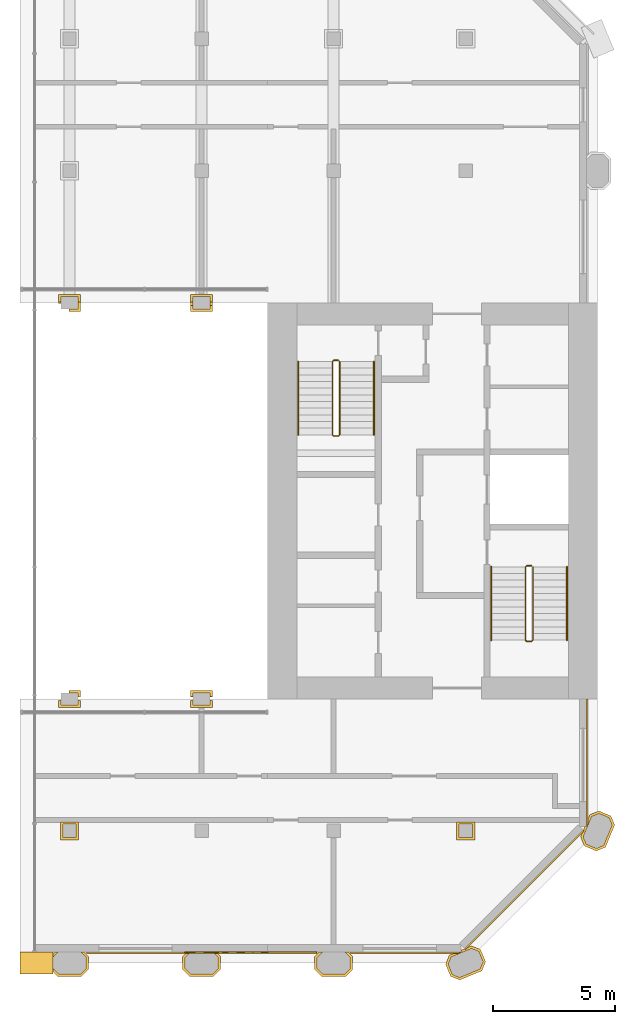
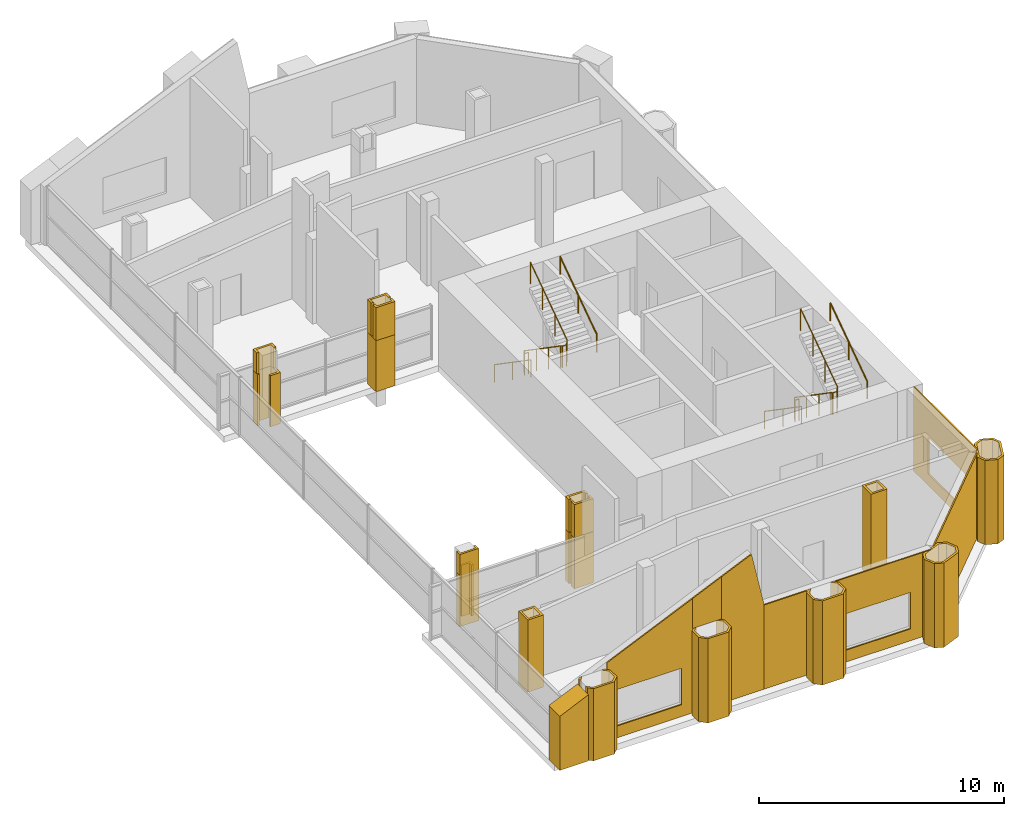
# One storey, part 7 of 8: 28 coverings, 6 railings.
"""IFC4 building model written with IfcOpenShell, lengths in metres."""

import ifcopenshell
import ifcopenshell.guid

model = None  # the IFC model being written
_history = None  # IfcOwnerHistory: only IFC2X3 demands one
_inside = {}  # id of a spatial element -> (the spatial element, [elements in it])
_under = {}  # id of a project, library or spatial element -> (it, [spatial elements below it])
_declared = {}  # id of a project -> (the project, [libraries it declares])
_typed = {}  # id of a type object -> (the type object, [elements of that type])
_made_of = {}  # id of a material, layer set ... -> (it, [elements and type objects made of it])


def new_model(schema):
    """Start an empty IFC model of exactly this schema.

    Asked for "IFC4X3", IfcOpenShell would pick the latest addendum, in which some entities
    have other attributes; the version numbers below select the first issue.
    IFC2X3 requires an IfcOwnerHistory on every rooted entity: one is made here for all.
    """
    global model, _history
    if schema == "IFC4X3":
        model = ifcopenshell.file(schema_version=(4, 3, 0, 0))
    else:
        model = ifcopenshell.file(schema=schema)
    _inside.clear()
    _under.clear()
    _declared.clear()
    _typed.clear()
    _made_of.clear()
    _history = None
    if model.schema == "IFC2X3":
        org = make("IfcOrganization", Name="unknown")
        user = make(
            "IfcPersonAndOrganization",
            ThePerson=make("IfcPerson", FamilyName="unknown"),
            TheOrganization=org,
        )
        app = make(
            "IfcApplication",
            ApplicationDeveloper=org,
            Version="unknown",
            ApplicationFullName="unknown",
            ApplicationIdentifier="unknown",
        )
        _history = make(
            "IfcOwnerHistory",
            OwningUser=user,
            OwningApplication=app,
            ChangeAction="ADDED",
            CreationDate=0,
        )
    return model


def make(cls, **values):
    """One entity of the class cls with the attributes given. An attribute that is None is left unset."""
    return model.create_entity(
        cls, **{name: value for name, value in values.items() if value is not None}
    )


def rooted(cls, **values):
    """An entity with a GlobalId (a new one), such as an element, a storey or a relation."""
    return make(cls, GlobalId=ifcopenshell.guid.new(), OwnerHistory=_history, **values)


def si_unit(unit_type, name, prefix=None):
    """IfcSIUnit, for example si_unit("LENGTHUNIT", "METRE", prefix="MILLI")."""
    return make("IfcSIUnit", UnitType=unit_type, Prefix=prefix, Name=name)


def assignment(units):
    """IfcUnitAssignment: the units of a project."""
    return None if units is None else make("IfcUnitAssignment", Units=units)


def point(xyz):
    """IfcCartesianPoint."""
    return None if xyz is None else make("IfcCartesianPoint", Coordinates=xyz)


def direction(xyz):
    """IfcDirection."""
    return None if xyz is None else make("IfcDirection", DirectionRatios=xyz)


def frame(location, z_axis=None, x_axis=None):
    """IfcAxis2Placement3D, a coordinate frame: its origin and axes. An axis left out is left unset."""
    return make(
        "IfcAxis2Placement3D",
        Location=point(location),
        Axis=direction(z_axis),
        RefDirection=direction(x_axis),
    )


def frame_2d(location, x_axis=None):
    """IfcAxis2Placement2D, a coordinate frame in the plane: its origin and x axis."""
    return make(
        "IfcAxis2Placement2D", Location=point(location), RefDirection=direction(x_axis)
    )


def origin():
    """The frame at (0, 0, 0) with its axes left unset."""
    return frame((0.0, 0.0, 0.0))


def origin_2d():
    """The frame at (0, 0) in the plane with its x axis left unset."""
    return frame_2d((0.0, 0.0))


def place(relative_to, where):
    """IfcLocalPlacement: puts the frame where relative to a parent placement (None: the world)."""
    return make(
        "IfcLocalPlacement", PlacementRelTo=relative_to, RelativePlacement=where
    )


def context(
    kind, dimensions, precision=None, world=None, true_north=None, identifier=None
):
    """IfcGeometricRepresentationContext, for example the 3D "Model" context."""
    return make(
        "IfcGeometricRepresentationContext",
        ContextIdentifier=identifier,
        ContextType=kind,
        CoordinateSpaceDimension=dimensions,
        Precision=precision,
        WorldCoordinateSystem=world,
        TrueNorth=true_north,
    )


def subcontext(parent, identifier, kind, view, scale=None):
    """IfcGeometricRepresentationSubContext, for example "Body" below "Model"."""
    return make(
        "IfcGeometricRepresentationSubContext",
        ContextIdentifier=identifier,
        ContextType=kind,
        ParentContext=parent,
        TargetScale=scale,
        TargetView=view,
    )


def project(units=None, contexts=None):
    """IfcProject with its units and contexts."""
    return rooted(
        "IfcProject",
        Name="project",
        RepresentationContexts=contexts,
        UnitsInContext=assignment(units),
    )


def spatial(cls, under=None, at=None, **own):
    """A site, building, storey or space (cls), placed at a placement, below another one or the project."""
    s = rooted(cls, ObjectPlacement=at, **own)
    if under is not None:
        _under.setdefault(under.id(), (under, []))[1].append(s)
    return s


def polyline(points):
    """IfcPolyline through the points."""
    return make("IfcPolyline", Points=[point(p) for p in points])


def profile(cls, at=None, kind="AREA", **sizes):
    """A parametric profile (cls). Its sizes go by their IFC names, for example OverallWidth=200.0."""
    return make(cls, ProfileType=kind, Position=at, **sizes)


def circle(**sizes):
    """IfcCircleProfileDef."""
    return profile("IfcCircleProfileDef", **sizes)


def outline(outer, holes=None, kind="AREA"):
    """IfcArbitraryClosedProfileDef: a profile drawn as a closed curve; with holes, ...WithVoids."""
    if holes is None:
        return make("IfcArbitraryClosedProfileDef", ProfileType=kind, OuterCurve=outer)
    return make(
        "IfcArbitraryProfileDefWithVoids",
        ProfileType=kind,
        OuterCurve=outer,
        InnerCurves=holes,
    )


def extrude(swept, where, along, depth):
    """IfcExtrudedAreaSolid: the profile swept, set in the frame where, extruded along a direction by depth."""
    return make(
        "IfcExtrudedAreaSolid",
        SweptArea=swept,
        Position=where,
        ExtrudedDirection=direction(along),
        Depth=depth,
    )


def shape(context_of_items, identifier, shape_type, items):
    """IfcShapeRepresentation: the items that make up one representation, for example the "Body"."""
    return make(
        "IfcShapeRepresentation",
        ContextOfItems=context_of_items,
        RepresentationIdentifier=identifier,
        RepresentationType=shape_type,
        Items=items,
    )


def material(Name=None, Category=None):
    """IfcMaterial."""
    return make("IfcMaterial", Name=Name, Category=Category)


def layer(
    of_material, thickness, ventilated=None, Name=None, Category=None, Priority=None
):
    """IfcMaterialLayer: one layer of a wall or slab, of a material (None: an air gap)."""
    return make(
        "IfcMaterialLayer",
        Material=of_material,
        LayerThickness=thickness,
        IsVentilated=ventilated,
        Name=Name,
        Category=Category,
        Priority=Priority,
    )


def layer_set(layers, Name=None):
    """IfcMaterialLayerSet."""
    return make("IfcMaterialLayerSet", MaterialLayers=layers, LayerSetName=Name)


def made_of(thing, what):
    """Note that an element or type object is made of a material, layer set ...; save() writes the relation."""
    if what is not None:
        _made_of.setdefault(what.id(), (what, []))[1].append(thing)
    return thing


def type_object(cls, material=None, **own):
    """A type object (cls), such as IfcWallType, which elements share."""
    return made_of(rooted(cls, **own), material)


def element(
    cls,
    number,
    at=None,
    inside=None,
    cuts=None,
    type_object=None,
    material=None,
    context=None,
    identifier="Body",
    shape_type=None,
    held_by="IfcProductDefinitionShape",
    body=None,
    shapes=None,
    **own,
):
    """One element of the class cls, such as IfcWall. Its Tag is "e" and its number.

    at: its placement. inside: the storey or other place that contains it. cuts: it is an
    opening in that element (IfcRelVoidsElement). A single representation is given by context,
    identifier, shape_type and body (its items); several are given by shapes. held_by: the class
    of the entity that holds the representations. save() writes the other relations.
    """
    e = rooted(cls, Tag="e%d" % number, ObjectPlacement=at, **own)
    if body is not None:
        shapes = [shape(context, identifier, shape_type, body)]
    if shapes is not None:
        e.Representation = make(held_by, Representations=shapes)
    if inside is not None:
        _inside.setdefault(inside.id(), (inside, []))[1].append(e)
    if cuts is not None:
        rooted(
            "IfcRelVoidsElement", RelatingBuildingElement=cuts, RelatedOpeningElement=e
        )
    if type_object is not None:
        _typed.setdefault(type_object.id(), (type_object, []))[1].append(e)
    return made_of(e, material)


def aggregate(whole, parts):
    """IfcRelAggregates: a whole, such as a stair, and the parts it consists of."""
    return rooted("IfcRelAggregates", RelatingObject=whole, RelatedObjects=parts)


def save(model, path):
    """Write the relations noted so far, then the file.

    IfcRelAggregates (storeys below a building ...), IfcRelContainedInSpatialStructure (elements
    in a storey), IfcRelDefinesByType, IfcRelAssociatesMaterial and IfcRelDeclares: one each for
    every whole, place, type object, material and project.
    """
    for whole, parts in _under.values():
        aggregate(whole, parts)
    for where, things in _inside.values():
        rooted(
            "IfcRelContainedInSpatialStructure",
            RelatedElements=things,
            RelatingStructure=where,
        )
    for kind, things in _typed.values():
        rooted("IfcRelDefinesByType", RelatedObjects=things, RelatingType=kind)
    for what, things in _made_of.values():
        rooted("IfcRelAssociatesMaterial", RelatedObjects=things, RelatingMaterial=what)
    for by, libraries in _declared.values():
        rooted("IfcRelDeclares", RelatingContext=by, RelatedDefinitions=libraries)
    model.write(path)


model = new_model("IFC4")

# Units and contexts
model_context = context("Model", 3, precision=1e-05, world=origin(), true_north=direction((0.0, 1.0)))
body_context = subcontext(model_context, "Body", "Model", "MODEL_VIEW")
ifc_project = project(units=[si_unit("LENGTHUNIT", "METRE"), si_unit("AREAUNIT", "SQUARE_METRE"), si_unit("VOLUMEUNIT", "CUBIC_METRE"), si_unit("PLANEANGLEUNIT", "RADIAN"), si_unit("MASSUNIT", "GRAM", prefix="KILO")], contexts=[model_context])

# Site, building, storey
site_placement = place(None, origin())
site = spatial("IfcSite", under=ifc_project, at=site_placement, CompositionType="ELEMENT")
building_placement = place(site_placement, origin())
building = spatial("IfcBuilding", under=site, at=building_placement, Name="Tabaq Tower and Sports Hall", CompositionType="ELEMENT")
storey_placement = place(building_placement, frame((0.0, 0.0, 330.699951171875)))
storey = spatial("IfcBuildingStorey", under=building, at=storey_placement, Name="L82", CompositionType="ELEMENT", Elevation=330.699951171875)

# Coverings
ifc_material_1 = material(Name="Precast concrete C60/75", Category="concrete")
ifc_layer_1 = layer(ifc_material_1, 0.10009765625)
ifc_layer_set_1 = layer_set([ifc_layer_1], Name="Column cladding 100")
covering_type_1 = type_object("IfcCoveringType", Name="Column cladding 100", PredefinedType="CLADDING", material=ifc_layer_set_1)
covering_1_placement = place(storey_placement, origin())
element("IfcCovering", 1, at=covering_1_placement, inside=storey, type_object=covering_type_1, Name="Column cladding L82 PC-5B-CR", PredefinedType="CLADDING", context=body_context, shape_type="SweptSolid", body=[
    extrude(outline(polyline([(22.374755859375, 5.666259765625), (22.374755859375, 5.1337890625), (22.09130859375, 4.850341796875), (21.108642578125, 4.850341796875), (20.92529296875, 5.03369140625), (20.92529296875, 5.17431640625), (21.14990234375, 4.94970703125), (22.050048828125, 4.94970703125), (22.275390625, 5.1748046875), (22.275390625, 5.625244140625), (22.05078125, 5.849609375), (22.19140625, 5.849609375), (22.374755859375, 5.666259765625)])), origin(), (0.0, 0.0, 1.0), 3.60009765625),
])
covering_2_placement = place(storey_placement, origin())
element("IfcCovering", 2, at=covering_2_placement, inside=storey, type_object=covering_type_1, Name="Column cladding L82 PC-5B-CR 2", PredefinedType="CLADDING", context=body_context, shape_type="SweptSolid", body=[
    extrude(outline(polyline([(21.0087890625, 5.849609375), (21.149169921875, 5.849609375), (20.92529296875, 5.625732421875), (20.92529296875, 5.766357421875), (21.0087890625, 5.849609375)])), origin(), (0.0, 0.0, 1.0), 3.60009765625),
])
covering_3_placement = place(storey_placement, origin())
element("IfcCovering", 3, at=covering_3_placement, inside=storey, type_object=covering_type_1, Name="Column cladding L82 CC-5C-CR", PredefinedType="CLADDING", context=body_context, shape_type="SweptSolid", body=[
    extrude(outline(polyline([(21.225341796875, 11.1748046875), (21.974609375, 11.1748046875), (21.974609375, 10.42529296875), (21.225341796875, 10.42529296875), (21.225341796875, 11.1748046875)]), holes=[polyline([(21.875244140625, 10.524658203125), (21.875244140625, 11.0751953125), (21.32470703125, 11.0751953125), (21.32470703125, 10.524658203125), (21.875244140625, 10.524658203125)])]), origin(), (0.0, 0.0, 1.0), 3.60009765625),
])
covering_4_placement = place(storey_placement, origin())
element("IfcCovering", 4, at=covering_4_placement, inside=storey, type_object=covering_type_1, Name="Column cladding L82 AC-5D-CR", PredefinedType="CLADDING", context=body_context, shape_type="SweptSolid", body=[
    extrude(outline(polyline([(22.0498046875, 15.850341796875), (21.150390625, 15.850341796875), (21.150390625, 16.129638671875), (21.249755859375, 16.129638671875), (21.249755859375, 15.94970703125), (21.9501953125, 15.94970703125), (21.9501953125, 16.129638671875), (22.0498046875, 16.129638671875), (22.0498046875, 15.850341796875)])), origin(), (0.0, 0.0, 1.0), 2.550048828125),
])
covering_5_placement = place(storey_placement, origin())
element("IfcCovering", 5, at=covering_5_placement, inside=storey, type_object=covering_type_1, Name="Column cladding L82 AC-5D-CR 2", PredefinedType="CLADDING", context=body_context, shape_type="SweptSolid", body=[
    extrude(outline(polyline([(22.0498046875, 16.5498046875), (22.0498046875, 16.270263671875), (21.9501953125, 16.270263671875), (21.9501953125, 16.4501953125), (21.5703125, 16.4501953125), (21.5703125, 16.5498046875), (22.0498046875, 16.5498046875)])), origin(), (0.0, 0.0, 1.0), 2.550048828125),
])
covering_6_placement = place(storey_placement, frame((0.0, 0.0, 2.550048828125)))
element("IfcCovering", 6, at=covering_6_placement, inside=storey, type_object=covering_type_1, Name="Column cladding L82 AC-5D-CR head", PredefinedType="CLADDING", context=body_context, shape_type="SweptSolid", body=[
    extrude(outline(polyline([(21.150390625, 15.850341796875), (21.150390625, 16.129638671875), (21.249755859375, 16.129638671875), (21.249755859375, 15.94970703125), (21.9501953125, 15.94970703125), (21.9501953125, 16.129638671875), (22.0498046875, 16.129638671875), (22.0498046875, 15.850341796875), (21.150390625, 15.850341796875)])), origin(), (0.0, 0.0, 1.0), 1.050048828125),
])
covering_7_placement = place(storey_placement, origin())
element("IfcCovering", 7, at=covering_7_placement, inside=storey, type_object=covering_type_1, Name="Column cladding L82 AC-5G-CR", PredefinedType="CLADDING", context=body_context, shape_type="SweptSolid", body=[
    extrude(outline(polyline([(22.0498046875, 32.749755859375), (22.0498046875, 32.05029296875), (21.5703125, 32.05029296875), (21.5703125, 32.149658203125), (21.9501953125, 32.149658203125), (21.9501953125, 32.650390625), (21.249755859375, 32.650390625), (21.249755859375, 32.370361328125), (21.150390625, 32.370361328125), (21.150390625, 32.749755859375), (22.0498046875, 32.749755859375)])), origin(), (0.0, 0.0, 1.0), 2.550048828125),
])
covering_8_placement = place(storey_placement, frame((0.0, 0.0, 2.550048828125)))
element("IfcCovering", 8, at=covering_8_placement, inside=storey, type_object=covering_type_1, Name="Column cladding L82 AC-5G-CR head", PredefinedType="CLADDING", context=body_context, shape_type="SweptSolid", body=[
    extrude(outline(polyline([(22.0498046875, 32.440185546875), (21.9501953125, 32.440185546875), (21.9501953125, 32.650390625), (21.249755859375, 32.650390625), (21.249755859375, 32.440185546875), (21.150390625, 32.440185546875), (21.150390625, 32.749755859375), (22.0498046875, 32.749755859375), (22.0498046875, 32.440185546875)])), origin(), (0.0, 0.0, 1.0), 1.050048828125),
])
covering_9_placement = place(storey_placement, origin())
element("IfcCovering", 9, at=covering_9_placement, inside=storey, type_object=covering_type_1, Name="Column cladding L82 PC-6B-CR", PredefinedType="CLADDING", context=body_context, shape_type="SweptSolid", body=[
    extrude(outline(polyline([(26.225341796875, 5.666259765625), (26.40869140625, 5.849609375), (26.54931640625, 5.849609375), (26.32470703125, 5.625244140625), (26.32470703125, 5.1748046875), (26.5498046875, 4.94970703125), (27.4501953125, 4.94970703125), (27.67529296875, 5.1748046875), (27.67529296875, 5.625244140625), (27.45068359375, 5.849609375), (27.59130859375, 5.849609375), (27.774658203125, 5.666259765625), (27.774658203125, 5.1337890625), (27.4912109375, 4.850341796875), (26.5087890625, 4.850341796875), (26.225341796875, 5.1337890625), (26.225341796875, 5.666259765625)])), origin(), (0.0, 0.0, 1.0), 4.199951171875),
])
covering_10_placement = place(storey_placement, origin())
element("IfcCovering", 10, at=covering_10_placement, inside=storey, type_object=covering_type_1, Name="Column cladding L82 AC-6D-CR", PredefinedType="CLADDING", context=body_context, shape_type="SweptSolid", body=[
    extrude(outline(polyline([(27.44970703125, 16.5498046875), (27.44970703125, 16.270263671875), (27.350341796875, 16.270263671875), (27.350341796875, 16.4501953125), (26.649658203125, 16.4501953125), (26.649658203125, 16.270263671875), (26.55029296875, 16.270263671875), (26.55029296875, 16.5498046875), (27.44970703125, 16.5498046875)])), origin(), (0.0, 0.0, 1.0), 2.550048828125),
])
covering_11_placement = place(storey_placement, origin())
element("IfcCovering", 11, at=covering_11_placement, inside=storey, type_object=covering_type_1, Name="Column cladding L82 AC-6D-CR 2", PredefinedType="CLADDING", context=body_context, shape_type="SweptSolid", body=[
    extrude(outline(polyline([(27.44970703125, 15.850341796875), (26.55029296875, 15.850341796875), (26.55029296875, 16.129638671875), (26.649658203125, 16.129638671875), (26.649658203125, 15.94970703125), (27.350341796875, 15.94970703125), (27.350341796875, 16.129638671875), (27.44970703125, 16.129638671875), (27.44970703125, 15.850341796875)])), origin(), (0.0, 0.0, 1.0), 2.550048828125),
])
covering_12_placement = place(storey_placement, frame((0.0, 0.0, 2.550048828125)))
element("IfcCovering", 12, at=covering_12_placement, inside=storey, type_object=covering_type_1, Name="Column cladding L82 AC-6D-CR head", PredefinedType="CLADDING", context=body_context, shape_type="SweptSolid", body=[
    extrude(outline(polyline([(26.55029296875, 15.850341796875), (26.55029296875, 16.129638671875), (26.649658203125, 16.129638671875), (26.649658203125, 15.94970703125), (27.350341796875, 15.94970703125), (27.350341796875, 16.129638671875), (27.44970703125, 16.129638671875), (27.44970703125, 15.850341796875), (26.55029296875, 15.850341796875)])), origin(), (0.0, 0.0, 1.0), 1.64990234375),
])
covering_13_placement = place(storey_placement, frame((0.0, 0.0, 2.550048828125)))
element("IfcCovering", 13, at=covering_13_placement, inside=storey, type_object=covering_type_1, Name="Column cladding L82 AC-6D-CR head 2", PredefinedType="CLADDING", context=body_context, shape_type="SweptSolid", body=[
    extrude(outline(polyline([(27.44970703125, 16.30029296875), (27.350341796875, 16.30029296875), (27.350341796875, 16.4501953125), (26.649658203125, 16.4501953125), (26.649658203125, 16.30029296875), (26.55029296875, 16.30029296875), (26.55029296875, 16.5498046875), (27.44970703125, 16.5498046875), (27.44970703125, 16.30029296875)])), origin(), (0.0, 0.0, 1.0), 1.64990234375),
])
covering_14_placement = place(storey_placement, origin())
element("IfcCovering", 14, at=covering_14_placement, inside=storey, type_object=covering_type_1, Name="Column cladding L82 AC-6G-CR", PredefinedType="CLADDING", context=body_context, shape_type="SweptSolid", body=[
    extrude(outline(polyline([(26.55029296875, 32.749755859375), (27.44970703125, 32.749755859375), (27.44970703125, 32.05029296875), (26.55029296875, 32.05029296875), (26.55029296875, 32.749755859375)]), holes=[polyline([(27.350341796875, 32.149658203125), (27.350341796875, 32.650390625), (26.649658203125, 32.650390625), (26.649658203125, 32.149658203125), (27.350341796875, 32.149658203125)])]), origin(), (0.0, 0.0, 1.0), 2.550048828125),
])
covering_15_placement = place(storey_placement, frame((0.0, 0.0, 2.550048828125)))
element("IfcCovering", 15, at=covering_15_placement, inside=storey, type_object=covering_type_1, Name="Column cladding L82 AC-6G-CR head", PredefinedType="CLADDING", context=body_context, shape_type="SweptSolid", body=[
    extrude(outline(polyline([(27.44970703125, 32.749755859375), (27.44970703125, 32.440185546875), (27.350341796875, 32.440185546875), (27.350341796875, 32.650390625), (26.649658203125, 32.650390625), (26.649658203125, 32.440185546875), (26.55029296875, 32.440185546875), (26.55029296875, 32.749755859375), (27.44970703125, 32.749755859375)])), origin(), (0.0, 0.0, 1.0), 1.64990234375),
])
covering_16_placement = place(storey_placement, frame((0.0, 0.0, 2.550048828125)))
element("IfcCovering", 16, at=covering_16_placement, inside=storey, type_object=covering_type_1, Name="Column cladding L82 AC-6G-CR head 2", PredefinedType="CLADDING", context=body_context, shape_type="SweptSolid", body=[
    extrude(outline(polyline([(27.44970703125, 32.05029296875), (26.55029296875, 32.05029296875), (26.55029296875, 32.2998046875), (26.649658203125, 32.2998046875), (26.649658203125, 32.149658203125), (27.350341796875, 32.149658203125), (27.350341796875, 32.2998046875), (27.44970703125, 32.2998046875), (27.44970703125, 32.05029296875)])), origin(), (0.0, 0.0, 1.0), 1.64990234375),
])
covering_17_placement = place(storey_placement, origin())
element("IfcCovering", 17, at=covering_17_placement, inside=storey, type_object=covering_type_1, Name="Column cladding L82 PC-7B-CR", PredefinedType="CLADDING", context=body_context, shape_type="SweptSolid", body=[
    extrude(outline(polyline([(31.625244140625, 5.666259765625), (31.80859375, 5.849609375), (31.94921875, 5.849609375), (31.724609375, 5.625244140625), (31.724609375, 5.1748046875), (31.949951171875, 4.94970703125), (32.85009765625, 4.94970703125), (33.0751953125, 5.1748046875), (33.0751953125, 5.625244140625), (32.850830078125, 5.849609375), (32.9912109375, 5.849609375), (33.1748046875, 5.666259765625), (33.1748046875, 5.1337890625), (32.891357421875, 4.850341796875), (31.90869140625, 4.850341796875), (31.625244140625, 5.1337890625), (31.625244140625, 5.666259765625)])), origin(), (0.0, 0.0, 1.0), 4.199951171875),
])
covering_18_placement = place(storey_placement, origin())
element("IfcCovering", 18, at=covering_18_placement, inside=storey, type_object=covering_type_1, Name="Column cladding L82 PC-8B-CR", PredefinedType="CLADDING", context=body_context, shape_type="SweptSolid", body=[
    extrude(outline(polyline([(36.982421875, 5.349609375), (37.1357421875, 5.7197265625), (37.304443359375, 5.789794921875), (37.55712890625, 5.789794921875), (37.55712890625, 5.849609375), (37.614013671875, 5.849609375), (37.614013671875, 5.91796875), (37.767578125, 5.9814453125), (37.799072265625, 5.9501953125), (37.875, 6.026123046875), (38.04345703125, 6.095947265625), (38.413818359375, 5.9423828125), (38.61767578125, 5.450439453125), (38.46435546875, 5.080078125), (37.556396484375, 4.7041015625), (37.186279296875, 4.857421875), (36.982421875, 5.349609375)]), holes=[polyline([(38.510009765625, 5.450439453125), (38.337646484375, 5.866455078125), (38.04345703125, 5.98828125), (37.2119140625, 5.643798828125), (37.08984375, 5.349609375), (37.26220703125, 4.93359375), (37.556396484375, 4.811767578125), (38.38818359375, 5.15625), (38.510009765625, 5.450439453125)])]), origin(), (0.0, 0.0, 1.0), 4.199951171875),
])
covering_19_placement = place(storey_placement, origin())
element("IfcCovering", 19, at=covering_19_placement, inside=storey, type_object=covering_type_1, Name="Column cladding L82 CC-8C-CR", PredefinedType="CLADDING", context=body_context, shape_type="SweptSolid", body=[
    extrude(outline(polyline([(37.42529296875, 11.1748046875), (38.1748046875, 11.1748046875), (38.1748046875, 10.42529296875), (37.42529296875, 10.42529296875), (37.42529296875, 11.1748046875)]), holes=[polyline([(38.0751953125, 10.524658203125), (38.0751953125, 11.0751953125), (37.524658203125, 11.0751953125), (37.524658203125, 10.524658203125), (38.0751953125, 10.524658203125)])]), origin(), (0.0, 0.0, 1.0), 4.199951171875),
])
covering_20_placement = place(storey_placement, origin())
element("IfcCovering", 20, at=covering_20_placement, inside=storey, type_object=covering_type_1, Name="Column cladding L82 PC-9C-CR", PredefinedType="CLADDING", context=body_context, shape_type="SweptSolid", body=[
    extrude(outline(polyline([(42.657470703125, 10.186279296875), (42.504150390625, 10.556396484375), (42.573974609375, 10.72509765625), (42.64990234375, 10.801025390625), (42.618408203125, 10.83251953125), (42.68212890625, 10.986083984375), (42.750244140625, 10.986083984375), (42.750244140625, 11.04296875), (42.810302734375, 11.04296875), (42.810302734375, 11.295654296875), (42.880126953125, 11.46435546875), (43.25048828125, 11.61767578125), (43.742431640625, 11.413818359375), (43.895751953125, 11.04345703125), (43.519775390625, 10.1357421875), (43.149658203125, 9.982421875), (42.657470703125, 10.186279296875)]), holes=[polyline([(43.66650390625, 11.337646484375), (43.25048828125, 11.510009765625), (42.956298828125, 11.38818359375), (42.61181640625, 10.556396484375), (42.733642578125, 10.26220703125), (43.149658203125, 10.08984375), (43.44384765625, 10.2119140625), (43.788330078125, 11.04345703125), (43.66650390625, 11.337646484375)])]), origin(), (0.0, 0.0, 1.0), 4.199951171875),
])
ifc_material_2 = material(Name="White precast concrete C60/75", Category="concrete")
covering_type_2 = type_object("IfcCoveringType", Name="Pier cladding hung 1350x900", PredefinedType="CLADDING", material=ifc_material_2)
covering_21_placement = place(storey_placement, frame((19.574951171875, 5.39990234375, 0.0), z_axis=(0.0, 0.0, 1.0), x_axis=(1.0, 0.0, 0.0)))
element("IfcCovering", 21, at=covering_21_placement, inside=storey, type_object=covering_type_2, Name="Riser corner cladding S", PredefinedType="CLADDING", context=body_context, shape_type="SweptSolid", body=[
    extrude(outline(polyline([(0.0, 0.0), (1.35009765625, 0.0), (1.35009765625, 3.300048828125), (0.89990234375, 3.10009765625), (0.449951171875, 2.900146484375), (0.0, 2.699951171875), (0.0, 0.0)])), frame((0.0, 0.449951171875, 0.0), z_axis=(0.0, -1.0, 0.0), x_axis=(1.0, 0.0, 0.0)), (0.0, 0.0, 1.0), 0.89990234375),
])

# Railings
ifc_material_3 = material(Name="Stainless steel", Category="steel")
railing_type_1 = type_object("IfcRailingType", Name="Stair guard", PredefinedType="GUARDRAIL", material=ifc_material_3)
railing_1_placement = place(storey_placement, frame((40.5, 21.64990234375, 0.0)))
element("IfcRailing", 22, at=railing_1_placement, inside=storey, type_object=railing_type_1, Name="L82 ST3 stair guard 1", PredefinedType="GUARDRAIL", context=body_context, shape_type="SweptSolid", body=[
    extrude(circle(Radius=0.02392578125, at=origin_2d()), frame((0.0, 0.0, 1.076171875), z_axis=(-1.0, 0.0, 0.0), x_axis=(0.0, -1.0, 0.0)), (0.0, 0.0, 1.0), 0.199951171875),
    extrude(circle(Radius=0.02392578125, at=origin_2d()), frame((-0.199951171875, 0.0, 1.076171875), z_axis=(-0.249802250048, -0.248583702486, 0.935844527007), x_axis=(0.705375805398, -0.708833529934, 0.0)), (0.0, 0.0, 1.0), 0.200439453125),
    extrude(circle(Radius=0.02392578125, at=origin_2d()), frame((-0.25, -0.0498046875, 1.263671875), z_axis=(0.0, -0.824041924199, 0.566528822887), x_axis=(1.0, 0.0, 0.0)), (0.0, 0.0, 1.0), 3.640625),
    extrude(circle(Radius=0.02392578125, at=origin_2d()), frame((-0.25, -3.0498046875, 3.326171875), z_axis=(0.707106781187, -0.707106781187, 0.0), x_axis=(0.707106781187, 0.707106781187, 0.0)), (0.0, 0.0, 1.0), 0.07080078125),
    extrude(circle(Radius=0.02392578125, at=origin_2d()), frame((-0.199951171875, -3.099853515625, 3.326171875), z_axis=(1.0, 0.0, 0.0), x_axis=(0.0, 1.0, 0.0)), (0.0, 0.0, 1.0), 0.199951171875),
    extrude(circle(Radius=0.02392578125, at=origin_2d()), frame((0.0, -3.099853515625, 3.326171875), z_axis=(0.249726431254, 0.249726431254, 0.935560483917), x_axis=(-0.707106781187, 0.707106781187, 0.0)), (0.0, 0.0, 1.0), 0.200439453125),
    extrude(circle(Radius=0.02392578125, at=origin_2d()), frame((0.050048828125, -3.0498046875, 3.513671875), z_axis=(0.0, 0.824041924199, 0.566528822887), x_axis=(-1.0, 0.0, 0.0)), (0.0, 0.0, 1.0), 3.640625),
    extrude(circle(Radius=0.02099609375, at=origin_2d()), origin(), (0.0, 0.0, 1.0), 1.052001953125),
    extrude(circle(Radius=0.02099609375, at=origin_2d()), frame((-0.199951171875, 0.0, 0.0)), (0.0, 0.0, 1.0), 1.052001953125),
    extrude(circle(Radius=0.02099609375, at=origin_2d()), frame((-0.25, -0.0498046875, 0.1875)), (0.0, 0.0, 1.0), 1.052001953125),
    extrude(circle(Radius=0.02099609375, at=origin_2d()), frame((-0.25, -1.0498046875, 0.875)), (0.0, 0.0, 1.0), 1.052001953125),
    extrude(circle(Radius=0.02099609375, at=origin_2d()), frame((-0.25, -2.0498046875, 1.5625)), (0.0, 0.0, 1.0), 1.052001953125),
    extrude(circle(Radius=0.02099609375, at=origin_2d()), frame((-0.25, -3.0498046875, 2.25)), (0.0, 0.0, 1.0), 1.052001953125),
    extrude(circle(Radius=0.02099609375, at=origin_2d()), frame((-0.199951171875, -3.099853515625, 2.25)), (0.0, 0.0, 1.0), 1.052001953125),
    extrude(circle(Radius=0.02099609375, at=origin_2d()), frame((0.0, -3.099853515625, 2.25)), (0.0, 0.0, 1.0), 1.052001953125),
    extrude(circle(Radius=0.02099609375, at=origin_2d()), frame((0.050048828125, -3.0498046875, 2.4375)), (0.0, 0.0, 1.0), 1.052001953125),
    extrude(circle(Radius=0.02099609375, at=origin_2d()), frame((0.050048828125, -2.0498046875, 3.125)), (0.0, 0.0, 1.0), 1.052001953125),
    extrude(circle(Radius=0.02099609375, at=origin_2d()), frame((0.050048828125, -1.0498046875, 3.8125)), (0.0, 0.0, 1.0), 1.052001953125),
    extrude(circle(Radius=0.02099609375, at=origin_2d()), frame((0.050048828125, -0.0498046875, 4.5)), (0.0, 0.0, 1.0), 1.052001953125),
])
railing_2_placement = place(storey_placement, frame((32.60009765625, 30.050048828125, 0.0)))
element("IfcRailing", 23, at=railing_2_placement, inside=storey, type_object=railing_type_1, Name="L82 ST4 stair guard 1", PredefinedType="GUARDRAIL", context=body_context, shape_type="SweptSolid", body=[
    extrude(circle(Radius=0.02392578125, at=origin_2d()), frame((0.0, 0.0, 1.076171875), z_axis=(-1.0, 0.0, 0.0), x_axis=(0.0, -1.0, 0.0)), (0.0, 0.0, 1.0), 0.2001953125),
    extrude(circle(Radius=0.02392578125, at=origin_2d()), frame((-0.2001953125, 0.0, 1.076171875), z_axis=(-0.248583702486, -0.249802250048, 0.935844527007), x_axis=(0.708833529934, -0.705375805398, 0.0)), (0.0, 0.0, 1.0), 0.200439453125),
    extrude(circle(Radius=0.02392578125, at=origin_2d()), frame((-0.25, -0.050048828125, 1.263671875), z_axis=(0.0, -0.824041924199, 0.566528822887), x_axis=(1.0, 0.0, 0.0)), (0.0, 0.0, 1.0), 3.640625),
    extrude(circle(Radius=0.02392578125, at=origin_2d()), frame((-0.25, -3.050048828125, 3.326171875), z_axis=(0.705375805398, -0.708833529934, 0.0), x_axis=(0.708833529934, 0.705375805398, 0.0)), (0.0, 0.0, 1.0), 0.070556640625),
    extrude(circle(Radius=0.02392578125, at=origin_2d()), frame((-0.2001953125, -3.10009765625, 3.326171875), z_axis=(1.0, 0.0, 0.0), x_axis=(0.0, 1.0, 0.0)), (0.0, 0.0, 1.0), 0.2001953125),
    extrude(circle(Radius=0.02392578125, at=origin_2d()), frame((0.0, -3.10009765625, 3.326171875), z_axis=(0.248583702486, 0.249802250048, 0.935844527007), x_axis=(-0.708833529934, 0.705375805398, 0.0)), (0.0, 0.0, 1.0), 0.200439453125),
    extrude(circle(Radius=0.02392578125, at=origin_2d()), frame((0.0498046875, -3.050048828125, 3.513671875), z_axis=(0.0, 0.824041924199, 0.566528822887), x_axis=(-1.0, 0.0, 0.0)), (0.0, 0.0, 1.0), 3.640625),
    extrude(circle(Radius=0.02099609375, at=origin_2d()), origin(), (0.0, 0.0, 1.0), 1.052001953125),
    extrude(circle(Radius=0.02099609375, at=origin_2d()), frame((-0.2001953125, 0.0, 0.0)), (0.0, 0.0, 1.0), 1.052001953125),
    extrude(circle(Radius=0.02099609375, at=origin_2d()), frame((-0.25, -0.050048828125, 0.1875)), (0.0, 0.0, 1.0), 1.052001953125),
    extrude(circle(Radius=0.02099609375, at=origin_2d()), frame((-0.25, -1.050048828125, 0.875)), (0.0, 0.0, 1.0), 1.052001953125),
    extrude(circle(Radius=0.02099609375, at=origin_2d()), frame((-0.25, -2.050048828125, 1.5625)), (0.0, 0.0, 1.0), 1.052001953125),
    extrude(circle(Radius=0.02099609375, at=origin_2d()), frame((-0.25, -3.050048828125, 2.25)), (0.0, 0.0, 1.0), 1.052001953125),
    extrude(circle(Radius=0.02099609375, at=origin_2d()), frame((-0.2001953125, -3.10009765625, 2.25)), (0.0, 0.0, 1.0), 1.052001953125),
    extrude(circle(Radius=0.02099609375, at=origin_2d()), frame((0.0, -3.10009765625, 2.25)), (0.0, 0.0, 1.0), 1.052001953125),
    extrude(circle(Radius=0.02099609375, at=origin_2d()), frame((0.0498046875, -3.050048828125, 2.4375)), (0.0, 0.0, 1.0), 1.052001953125),
    extrude(circle(Radius=0.02099609375, at=origin_2d()), frame((0.0498046875, -2.050048828125, 3.125)), (0.0, 0.0, 1.0), 1.052001953125),
    extrude(circle(Radius=0.02099609375, at=origin_2d()), frame((0.0498046875, -1.050048828125, 3.8125)), (0.0, 0.0, 1.0), 1.052001953125),
    extrude(circle(Radius=0.02099609375, at=origin_2d()), frame((0.0498046875, -0.050048828125, 4.5)), (0.0, 0.0, 1.0), 1.052001953125),
])
ifc_material_4 = material(Name="Stainless steel", Category="steel")
railing_type_2 = type_object("IfcRailingType", Name="Stair handrail", PredefinedType="HANDRAIL", material=ifc_material_4)
railing_3_placement = place(storey_placement, frame((38.85009765625, 21.60009765625, 0.1875)))
element("IfcRailing", 24, at=railing_3_placement, inside=storey, type_object=railing_type_2, Name="L82 ST3 stair handrail 1", PredefinedType="HANDRAIL", context=body_context, shape_type="SweptSolid", body=[
    extrude(circle(Radius=0.02392578125, at=origin_2d()), frame((0.0, 0.0, 0.8759765625), z_axis=(0.0, -0.824041924199, 0.566528822887), x_axis=(1.0, 0.0, 0.0)), (0.0, 0.0, 1.0), 3.640625),
    extrude(circle(Radius=0.02099609375, at=origin_2d()), origin(), (0.0, 0.0, 1.0), 0.851806640625),
    extrude(circle(Radius=0.02099609375, at=origin_2d()), frame((0.0, -1.5, 1.03125)), (0.0, 0.0, 1.0), 0.851806640625),
    extrude(circle(Radius=0.02099609375, at=origin_2d()), frame((0.0, -3.0, 2.0625)), (0.0, 0.0, 1.0), 0.851806640625),
])
railing_4_placement = place(storey_placement, frame((41.949951171875, 18.60009765625, 2.4375)))
element("IfcRailing", 25, at=railing_4_placement, inside=storey, type_object=railing_type_2, Name="L82 ST3 stair handrail 2", PredefinedType="HANDRAIL", context=body_context, shape_type="SweptSolid", body=[
    extrude(circle(Radius=0.02392578125, at=origin_2d()), frame((0.0, 0.0, 0.8759765625), z_axis=(0.0, 0.824041924199, 0.566528822887), x_axis=(-1.0, 0.0, 0.0)), (0.0, 0.0, 1.0), 3.640625),
    extrude(circle(Radius=0.02099609375, at=origin_2d()), origin(), (0.0, 0.0, 1.0), 0.851806640625),
    extrude(circle(Radius=0.02099609375, at=origin_2d()), frame((0.0, 1.5, 1.03125)), (0.0, 0.0, 1.0), 0.851806640625),
    extrude(circle(Radius=0.02099609375, at=origin_2d()), frame((0.0, 3.0, 2.0625)), (0.0, 0.0, 1.0), 0.851806640625),
])
railing_5_placement = place(storey_placement, frame((30.949951171875, 30.0, 0.1875)))
element("IfcRailing", 26, at=railing_5_placement, inside=storey, type_object=railing_type_2, Name="L82 ST4 stair handrail 1", PredefinedType="HANDRAIL", context=body_context, shape_type="SweptSolid", body=[
    extrude(circle(Radius=0.02392578125, at=origin_2d()), frame((0.0, 0.0, 0.8759765625), z_axis=(0.0, -0.824041924199, 0.566528822887), x_axis=(1.0, 0.0, 0.0)), (0.0, 0.0, 1.0), 3.640625),
    extrude(circle(Radius=0.02099609375, at=origin_2d()), origin(), (0.0, 0.0, 1.0), 0.851806640625),
    extrude(circle(Radius=0.02099609375, at=origin_2d()), frame((0.0, -1.5, 1.03125)), (0.0, 0.0, 1.0), 0.851806640625),
    extrude(circle(Radius=0.02099609375, at=origin_2d()), frame((0.0, -3.0, 2.0625)), (0.0, 0.0, 1.0), 0.851806640625),
])
railing_6_placement = place(storey_placement, frame((34.050048828125, 27.0, 2.4375)))
element("IfcRailing", 27, at=railing_6_placement, inside=storey, type_object=railing_type_2, Name="L82 ST4 stair handrail 2", PredefinedType="HANDRAIL", context=body_context, shape_type="SweptSolid", body=[
    extrude(circle(Radius=0.02392578125, at=origin_2d()), frame((0.0, 0.0, 0.8759765625), z_axis=(0.0, 0.824041924199, 0.566528822887), x_axis=(-1.0, 0.0, 0.0)), (0.0, 0.0, 1.0), 3.640625),
    extrude(circle(Radius=0.02099609375, at=origin_2d()), origin(), (0.0, 0.0, 1.0), 0.851806640625),
    extrude(circle(Radius=0.02099609375, at=origin_2d()), frame((0.0, 1.5, 1.03125)), (0.0, 0.0, 1.0), 0.851806640625),
    extrude(circle(Radius=0.02099609375, at=origin_2d()), frame((0.0, 3.0, 2.0625)), (0.0, 0.0, 1.0), 0.851806640625),
])

# Coverings
ifc_material_5 = material(Name="Precast concrete C60/75", Category="concrete")
ifc_layer_2 = layer(ifc_material_5, 0.06005859375)
ifc_layer_set_2 = layer_set([ifc_layer_2], Name="White precast cladding panel 60 C60/75")
covering_type_3 = type_object("IfcCoveringType", Name="White precast cladding panel 60 C60/75", PredefinedType="CLADDING", material=ifc_layer_set_2)
covering_22_placement = place(storey_placement, frame((22.284912109375, 5.820068359375, 0.0), z_axis=(0.0, 0.0, 1.0), x_axis=(1.0, 0.0, 0.0)))
element("IfcCovering", 28, at=covering_22_placement, inside=storey, type_object=covering_type_3, Name="White precast cladding panel L82 wall00", PredefinedType="CLADDING", context=body_context, shape_type="SweptSolid", body=[
    extrude(outline(polyline([(0.0, 0.0), (4.030029296875, 0.0), (4.030029296875, 5.695556640625), (3.843017578125, 5.612548828125), (3.247802734375, 5.347900390625), (2.652587890625, 5.08349609375), (2.05712890625, 4.81884765625), (1.4619140625, 4.55419921875), (0.866455078125, 4.28955078125), (0.271240234375, 4.025146484375), (0.0, 3.904541015625), (0.0, 0.0)]), holes=[polyline([(0.5048828125, 0.590087890625), (0.5048828125, 2.41015625), (3.52490234375, 2.41015625), (3.52490234375, 0.590087890625), (0.5048828125, 0.590087890625)])]), frame((0.0, 0.030029296875, 0.0), z_axis=(0.0, -1.0, 0.0), x_axis=(1.0, 0.0, 0.0)), (0.0, 0.0, 1.0), 0.06005859375),
])
covering_23_placement = place(storey_placement, frame((26.31494140625, 5.820068359375, 4.2099609375), z_axis=(0.0, 0.0, 1.0), x_axis=(1.0, 0.0, 0.0)))
element("IfcCovering", 29, at=covering_23_placement, inside=storey, type_object=covering_type_3, Name="White precast cladding panel L82 wall00 2", PredefinedType="CLADDING", context=body_context, shape_type="SweptSolid", body=[
    extrude(outline(polyline([(0.0, 0.0), (1.3701171875, 0.0), (1.3701171875, 2.094482421875), (1.003662109375, 1.931640625), (0.408447265625, 1.667236328125), (0.0, 1.485595703125), (0.0, 0.0)])), frame((0.0, 0.030029296875, 0.0), z_axis=(0.0, -1.0, 0.0), x_axis=(1.0, 0.0, 0.0)), (0.0, 0.0, 1.0), 0.06005859375),
])
covering_24_placement = place(storey_placement, frame((27.68505859375, 5.820068359375, 0.0), z_axis=(0.0, 0.0, 1.0), x_axis=(1.0, 0.0, 0.0)))
element("IfcCovering", 30, at=covering_24_placement, inside=storey, type_object=covering_type_3, Name="White precast cladding panel L82 wall00 3", PredefinedType="CLADDING", context=body_context, shape_type="SweptSolid", body=[
    extrude(outline(polyline([(0.0, 0.0), (2.014892578125, 0.0), (2.014892578125, 4.199951171875), (1.419677734375, 6.935546875), (0.824462890625, 6.6708984375), (0.22900390625, 6.40625), (0.0, 6.304443359375), (0.0, 0.0)])), frame((0.0, 0.030029296875, 0.0), z_axis=(0.0, -1.0, 0.0), x_axis=(1.0, 0.0, 0.0)), (0.0, 0.0, 1.0), 0.06005859375),
])
covering_25_placement = place(storey_placement, frame((29.699951171875, 5.820068359375, 0.0), z_axis=(0.0, 0.0, 1.0), x_axis=(1.0, 0.0, 0.0)))
element("IfcCovering", 31, at=covering_25_placement, inside=storey, type_object=covering_type_3, Name="White precast cladding panel L82 wall00-1", PredefinedType="CLADDING", context=body_context, shape_type="SweptSolid", body=[
    extrude(outline(polyline([(0.0, 0.0), (2.01513671875, 0.0), (2.014892578125, 4.199951171875), (1.69580078125, 4.199951171875), (1.130615234375, 4.199951171875), (0.565185546875, 4.199951171875), (0.0, 4.199951171875), (0.0, 0.0)])), frame((0.0, 0.030029296875, 0.0), z_axis=(0.0, -1.0, 0.0), x_axis=(1.0, 0.0, 0.0)), (0.0, 0.0, 1.0), 0.06005859375),
])
covering_26_placement = place(storey_placement, frame((33.0849609375, 5.820068359375, 0.0), z_axis=(0.0, 0.0, 1.0), x_axis=(1.0, 0.0, 0.0)))
element("IfcCovering", 32, at=covering_26_placement, inside=storey, type_object=covering_type_3, Name="White precast cladding panel L82 wall00-1 2", PredefinedType="CLADDING", context=body_context, shape_type="SweptSolid", body=[
    extrude(outline(polyline([(0.0, 0.0), (4.471923828125, 0.0), (4.471923828125, 4.199951171875), (3.96337890625, 4.199951171875), (3.398193359375, 4.199951171875), (2.832763671875, 4.199951171875), (2.267578125, 4.199951171875), (1.702392578125, 4.199951171875), (1.136962890625, 4.199951171875), (0.57177734375, 4.199951171875), (0.006591796875, 4.199951171875), (0.0, 4.199951171875), (0.0, 0.0)]), holes=[polyline([(0.5048828125, 0.590087890625), (0.5048828125, 2.41015625), (3.52490234375, 2.41015625), (3.52490234375, 0.590087890625), (0.5048828125, 0.590087890625)])]), frame((0.0, 0.030029296875, 0.0), z_axis=(0.0, -1.0, 0.0), x_axis=(1.0, 0.0, 0.0)), (0.0, 0.0, 1.0), 0.06005859375),
])
covering_27_placement = place(storey_placement, frame((37.77783203125, 5.9716796875, 0.0), z_axis=(0.0, 0.0, 1.0), x_axis=(0.707088985397, 0.707124576528, 0.0)))
element("IfcCovering", 33, at=covering_27_placement, inside=storey, type_object=covering_type_3, Name="White precast cladding panel L82 wall01", PredefinedType="CLADDING", context=body_context, shape_type="SweptSolid", body=[
    extrude(outline(polyline([(0.0, 0.0), (6.859619140625, 0.0), (6.859619140625, 4.199951171875), (6.2880859375, 4.199951171875), (5.71630859375, 4.199951171875), (5.144775390625, 4.199951171875), (4.5732421875, 4.199951171875), (4.00146484375, 4.199951171875), (3.429931640625, 4.199951171875), (2.858154296875, 4.199951171875), (2.28662109375, 4.199951171875), (1.71484375, 4.199951171875), (1.143310546875, 4.199951171875), (0.571533203125, 4.199951171875), (0.0, 4.199951171875), (0.0, 0.0)])), frame((0.0, 0.030029296875, 0.0), z_axis=(0.0, -1.0, 0.0), x_axis=(1.0, 0.0, 0.0)), (0.0, 0.0, 1.0), 0.06005859375),
])
covering_28_placement = place(storey_placement, frame((42.780029296875, 11.043212890625, 0.0), z_axis=(0.0, 0.0, 1.0), x_axis=(0.0, 1.0, 0.0)))
element("IfcCovering", 34, at=covering_28_placement, inside=storey, type_object=covering_type_3, Name="White precast cladding panel L82 wall02", PredefinedType="CLADDING", context=body_context, shape_type="SweptSolid", body=[
    extrude(outline(polyline([(0.0, 0.0), (5.15673828125, 0.0), (5.15673828125, 4.199951171875), (4.57763671875, 4.199951171875), (3.998291015625, 4.199951171875), (3.4189453125, 4.199951171875), (2.839599609375, 4.199951171875), (2.260498046875, 4.199951171875), (1.68115234375, 4.199951171875), (1.101806640625, 4.199951171875), (0.5224609375, 4.199951171875), (0.0, 4.199951171875), (0.0, 0.0)]), holes=[polyline([(0.94677734375, 0.590087890625), (0.94677734375, 2.41015625), (3.966796875, 2.41015625), (3.966796875, 0.590087890625), (0.94677734375, 0.590087890625)])]), frame((0.0, 0.030029296875, 0.0), z_axis=(0.0, -1.0, 0.0), x_axis=(1.0, 0.0, 0.0)), (0.0, 0.0, 1.0), 0.06005859375),
])

save(model, "model.ifc")
